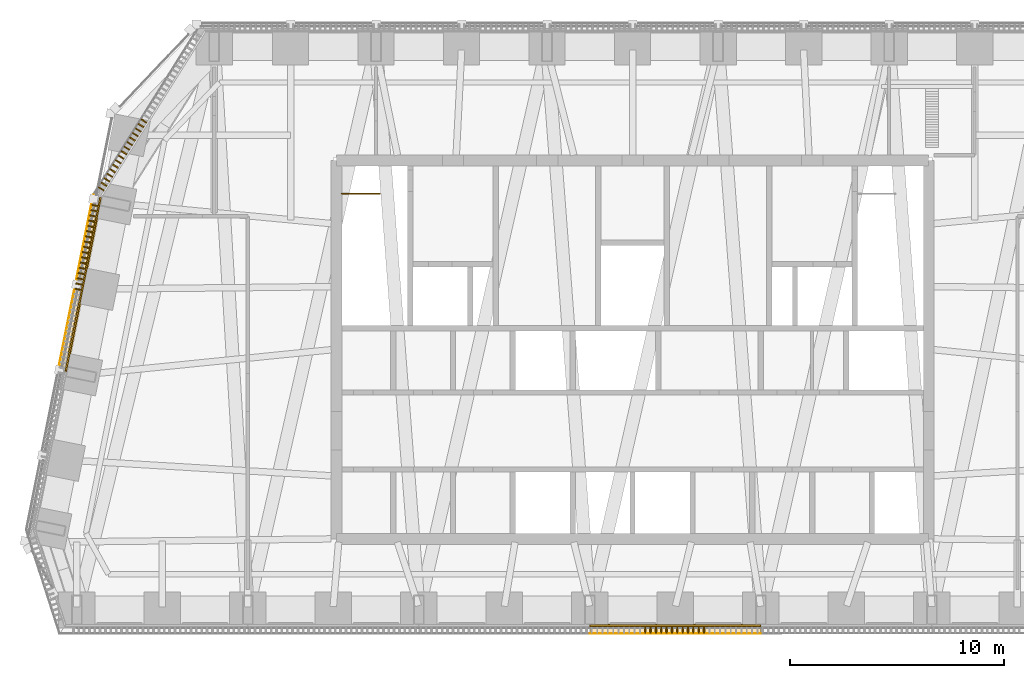
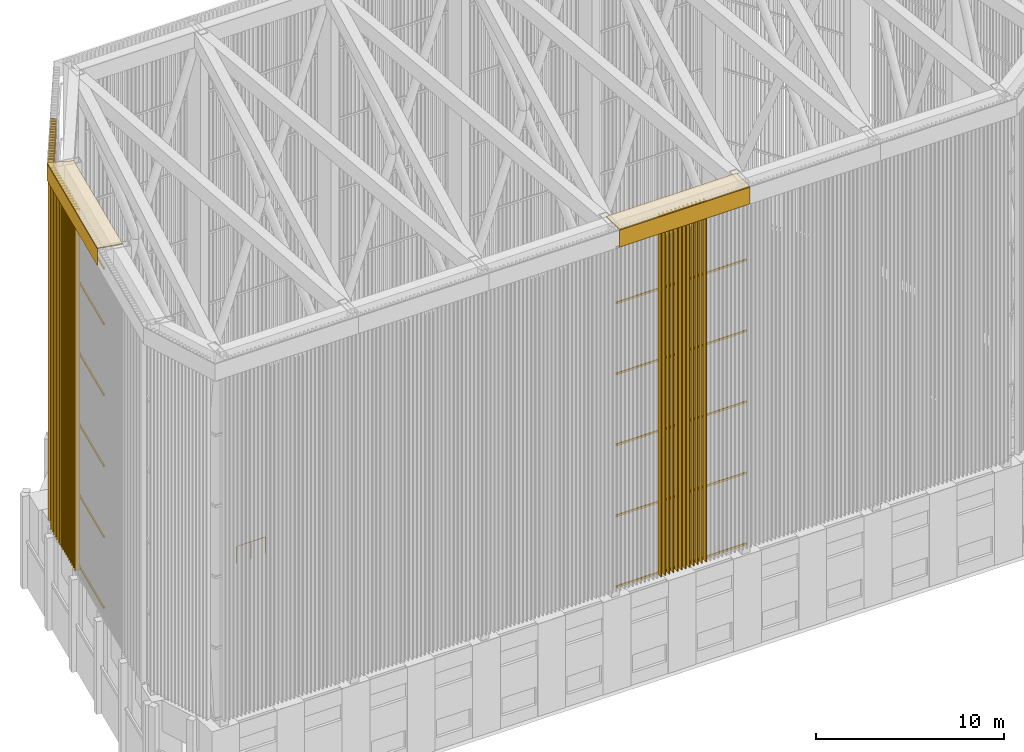
# One storey, part 11 of 15: 57 shading devices, 4 coverings, 1 railing.
"""IFC4 building model written with IfcOpenShell, lengths in metres."""

from ifc_helpers import new_model, si_unit, direction, frame, origin, origin_2d, place, context, subcontext, project, spatial, polyline, rectangle, circle, outline, extrude, material, layer, layer_set, material_profile, profile_set, type_object, element, save


model = new_model("IFC4")

# Units and contexts
model_context = context("Model", 3, precision=1e-05, world=origin(), true_north=direction((0.0, 1.0)))
body_context = subcontext(model_context, "Body", "Model", "MODEL_VIEW")
ifc_project = project(units=[si_unit("LENGTHUNIT", "METRE"), si_unit("AREAUNIT", "SQUARE_METRE"), si_unit("VOLUMEUNIT", "CUBIC_METRE"), si_unit("PLANEANGLEUNIT", "RADIAN"), si_unit("MASSUNIT", "GRAM", prefix="KILO")], contexts=[model_context])

# Site, building, storey
site_placement = place(None, origin())
site = spatial("IfcSite", under=ifc_project, at=site_placement, CompositionType="ELEMENT")
building_placement = place(site_placement, origin())
building = spatial("IfcBuilding", under=site, at=building_placement, Name="Isbrekke Arena Tower", CompositionType="ELEMENT")
storey_placement = place(building_placement, frame((0.0, 0.0, 324.0)))
storey = spatial("IfcBuildingStorey", under=building, at=storey_placement, Name="L76", CompositionType="ELEMENT", Elevation=324.0)

# Shading devices
ifc_material_1 = material(Name="Pre-patinated copper on aluminium core", Category="aluminium")
ifc_material_profile = material_profile(ifc_material_1, rectangle(XDim=0.06005859375, YDim=0.300048828125, at=origin_2d()), Name="FIN 60X300")
ifc_profile_set = profile_set([ifc_material_profile], Name="Pre-patinated copper on aluminium core")
shading_device_type_1 = type_object("IfcShadingDeviceType", Name="CR1 CROWN FIN 60 x 300", PredefinedType="USERDEFINED", material=ifc_profile_set)
for number, where, z_axis, x_axis, name in (
    (1, (0.593017578125, 1.89501953125, 6.60009765625), (0.0, 0.0, 1.0), (1.0, 0.0, 0.0), "CR1 crown fin A108"),
    (2, (0.843017578125, 1.89501953125, 6.60009765625), (0.0, 0.0, 1.0), (1.0, 0.0, 0.0), "CR1 crown fin A109"),
    (3, (1.093017578125, 1.89501953125, 6.60009765625), (0.0, 0.0, 1.0), (1.0, 0.0, 0.0), "CR1 crown fin A110"),
    (4, (1.343017578125, 1.89501953125, 6.60009765625), (0.0, 0.0, 1.0), (1.0, 0.0, 0.0), "CR1 crown fin A111"),
    (5, (1.593017578125, 1.89501953125, 6.60009765625), (0.0, 0.0, 1.0), (1.0, 0.0, 0.0), "CR1 crown fin A112"),
    (6, (1.843017578125, 1.89501953125, 6.60009765625), (0.0, 0.0, 1.0), (1.0, 0.0, 0.0), "CR1 crown fin A113"),
    (7, (2.093017578125, 1.89501953125, 6.60009765625), (0.0, 0.0, 1.0), (1.0, 0.0, 0.0), "CR1 crown fin A114"),
    (8, (2.343017578125, 1.89501953125, 6.60009765625), (0.0, 0.0, 1.0), (1.0, 0.0, 0.0), "CR1 crown fin A115"),
    (9, (2.593017578125, 1.89501953125, 6.60009765625), (0.0, 0.0, 1.0), (1.0, 0.0, 0.0), "CR1 crown fin A116"),
    (10, (2.843017578125, 1.89501953125, 6.60009765625), (0.0, 0.0, 1.0), (1.0, 0.0, 0.0), "CR1 crown fin A117"),
    (11, (3.093017578125, 1.89501953125, 6.60009765625), (0.0, 0.0, 1.0), (1.0, 0.0, 0.0), "CR1 crown fin A118"),
    (12, (3.343017578125, 1.89501953125, 6.60009765625), (0.0, 0.0, 1.0), (1.0, 0.0, 0.0), "CR1 crown fin A119"),
    (13, (-22.85986328125, 25.7001953125, 6.60009765625), (0.0, 0.0, 1.0), (-0.532528793806, -0.846411887775, 0.0), "CR1 crown fin F20"),
    (14, (-22.9931640625, 25.488525390625, 6.60009765625), (0.0, 0.0, 1.0), (-0.532528793806, -0.846411887775, 0.0), "CR1 crown fin F21"),
    (15, (-23.126220703125, 25.27685546875, 6.60009765625), (0.0, 0.0, 1.0), (-0.532528793806, -0.846411887775, 0.0), "CR1 crown fin F22"),
    (16, (-23.25927734375, 25.0654296875, 6.60009765625), (0.0, 0.0, 1.0), (-0.532528793806, -0.846411887775, 0.0), "CR1 crown fin F23"),
    (17, (-23.392578125, 24.853759765625, 6.60009765625), (0.0, 0.0, 1.0), (-0.532528793806, -0.846411887775, 0.0), "CR1 crown fin F24"),
    (18, (-23.525634765625, 24.64208984375, 6.60009765625), (0.0, 0.0, 1.0), (-0.532528793806, -0.846411887775, 0.0), "CR1 crown fin F25"),
    (19, (-23.65869140625, 24.4306640625, 6.60009765625), (0.0, 0.0, 1.0), (-0.532528793806, -0.846411887775, 0.0), "CR1 crown fin F26"),
    (20, (-23.7919921875, 24.218994140625, 6.60009765625), (0.0, 0.0, 1.0), (-0.532528793806, -0.846411887775, 0.0), "CR1 crown fin F27"),
    (21, (-23.925048828125, 24.00732421875, 6.60009765625), (0.0, 0.0, 1.0), (-0.532528793806, -0.846411887775, 0.0), "CR1 crown fin F28"),
    (22, (-24.05810546875, 23.795654296875, 6.60009765625), (0.0, 0.0, 1.0), (-0.532528793806, -0.846411887775, 0.0), "CR1 crown fin F29"),
    (23, (-24.19140625, 23.584228515625, 6.60009765625), (0.0, 0.0, 1.0), (-0.532528793806, -0.846411887775, 0.0), "CR1 crown fin F30"),
    (24, (-24.324462890625, 23.37255859375, 6.60009765625), (0.0, 0.0, 1.0), (-0.532528793806, -0.846411887775, 0.0), "CR1 crown fin F31"),
    (25, (-24.45751953125, 23.160888671875, 6.60009765625), (0.0, 0.0, 1.0), (-0.532528793806, -0.846411887775, 0.0), "CR1 crown fin F32"),
    (26, (-24.590576171875, 22.94921875, 6.60009765625), (0.0, 0.0, 1.0), (-0.532528793806, -0.846411887775, 0.0), "CR1 crown fin F33"),
    (27, (-24.723876953125, 22.73779296875, 6.60009765625), (0.0, 0.0, 1.0), (-0.532528793806, -0.846411887775, 0.0), "CR1 crown fin F34"),
    (28, (-24.85693359375, 22.526123046875, 6.60009765625), (0.0, 0.0, 1.0), (-0.532528793806, -0.846411887775, 0.0), "CR1 crown fin F35"),
    (29, (-25.156982421875, 21.75048828125, 6.60009765625), (0.0, 0.0, 1.0), (-0.196116127026, -0.980580677313, 0.0), "CR1 crown fin G1"),
    (30, (-25.2060546875, 21.50537109375, 6.60009765625), (0.0, 0.0, 1.0), (-0.196116127026, -0.980580677313, 0.0), "CR1 crown fin G2"),
    (31, (-25.255126953125, 21.26025390625, 6.60009765625), (0.0, 0.0, 1.0), (-0.196116127026, -0.980580677313, 0.0), "CR1 crown fin G3"),
    (32, (-25.303955078125, 21.01513671875, 6.60009765625), (0.0, 0.0, 1.0), (-0.196116127026, -0.980580677313, 0.0), "CR1 crown fin G4"),
    (33, (-25.35302734375, 20.769775390625, 6.60009765625), (0.0, 0.0, 1.0), (-0.196116127026, -0.980580677313, 0.0), "CR1 crown fin G5"),
    (34, (-25.402099609375, 20.524658203125, 6.60009765625), (0.0, 0.0, 1.0), (-0.196116127026, -0.980580677313, 0.0), "CR1 crown fin G6"),
    (35, (-25.451171875, 20.279541015625, 6.60009765625), (0.0, 0.0, 1.0), (-0.196116127026, -0.980580677313, 0.0), "CR1 crown fin G7"),
    (36, (-25.500244140625, 20.034423828125, 6.60009765625), (0.0, 0.0, 1.0), (-0.196116127026, -0.980580677313, 0.0), "CR1 crown fin G8"),
    (37, (-25.54931640625, 19.789306640625, 6.60009765625), (0.0, 0.0, 1.0), (-0.196116127026, -0.980580677313, 0.0), "CR1 crown fin G9"),
    (38, (-25.59814453125, 19.544189453125, 6.60009765625), (0.0, 0.0, 1.0), (-0.196116127026, -0.980580677313, 0.0), "CR1 crown fin G10"),
    (39, (-25.647216796875, 19.299072265625, 6.60009765625), (0.0, 0.0, 1.0), (-0.196116127026, -0.980580677313, 0.0), "CR1 crown fin G11"),
    (40, (-25.6962890625, 19.053955078125, 6.60009765625), (0.0, 0.0, 1.0), (-0.196116127026, -0.980580677313, 0.0), "CR1 crown fin G12"),
    (41, (-25.745361328125, 18.808837890625, 6.60009765625), (0.0, 0.0, 1.0), (-0.196116127026, -0.980580677313, 0.0), "CR1 crown fin G13"),
    (42, (-25.79443359375, 18.5634765625, 6.60009765625), (0.0, 0.0, 1.0), (-0.196116127026, -0.980580677313, 0.0), "CR1 crown fin G14"),
    (43, (-25.843505859375, 18.318359375, 6.60009765625), (0.0, 0.0, 1.0), (-0.196116127026, -0.980580677313, 0.0), "CR1 crown fin G15"),
    (44, (-25.892333984375, 18.0732421875, 6.60009765625), (0.0, 0.0, 1.0), (-0.196116127026, -0.980580677313, 0.0), "CR1 crown fin G16"),
    (45, (-25.94140625, 17.828125, 6.60009765625), (0.0, 0.0, 1.0), (-0.196116127026, -0.980580677313, 0.0), "CR1 crown fin G17"),
):
    element("IfcShadingDevice", number, at=place(storey_placement, frame(where, z_axis=z_axis, x_axis=x_axis)), inside=storey, type_object=shading_device_type_1, Name=name, ObjectType="CROWN FIN", PredefinedType="USERDEFINED", context=body_context, shape_type="SweptSolid", body=[
        extrude(rectangle(XDim=0.06005859375, YDim=0.300048828125, at=origin_2d()), origin(), (0.0, 0.0, 1.0), 23.39990234375),
    ])
ifc_material_2 = material(Name="Galvanised steel RHS 120 x 80 x 5", Category="steel")
shading_device_type_2 = type_object("IfcShadingDeviceType", Name="CR2 CROWN SCREEN RAIL RHS 120 x 80", PredefinedType="USERDEFINED", material=ifc_material_2)
shading_device_1_placement = place(storey_placement, frame((0.0, 0.0, 6.60009765625)))
element("IfcShadingDevice", 46, at=shading_device_1_placement, inside=storey, type_object=shading_device_type_2, Name="CR2 crown screen rail 1 bay A4", ObjectType="CROWN SCREEN RAIL", PredefinedType="USERDEFINED", context=body_context, shape_type="SweptSolid", body=[
    extrude(outline(polyline([(-2.0, 2.125), (6.0, 2.125), (6.0, 2.044921875), (-2.0, 2.044921875), (-2.0, 2.125)])), origin(), (0.0, 0.0, 1.0), 0.119873046875),
])
shading_device_2_placement = place(storey_placement, frame((0.0, 0.0, 11.199951171875)))
element("IfcShadingDevice", 47, at=shading_device_2_placement, inside=storey, type_object=shading_device_type_2, Name="CR2 crown screen rail 2 bay A4", ObjectType="CROWN SCREEN RAIL", PredefinedType="USERDEFINED", context=body_context, shape_type="SweptSolid", body=[
    extrude(outline(polyline([(-2.0, 2.125), (6.0, 2.125), (6.0, 2.044921875), (-2.0, 2.044921875), (-2.0, 2.125)])), origin(), (0.0, 0.0, 1.0), 0.1201171875),
])
shading_device_3_placement = place(storey_placement, frame((0.0, 0.0, 15.800048828125)))
element("IfcShadingDevice", 48, at=shading_device_3_placement, inside=storey, type_object=shading_device_type_2, Name="CR2 crown screen rail 3 bay A4", ObjectType="CROWN SCREEN RAIL", PredefinedType="USERDEFINED", context=body_context, shape_type="SweptSolid", body=[
    extrude(outline(polyline([(-2.0, 2.125), (6.0, 2.125), (6.0, 2.044921875), (-2.0, 2.044921875), (-2.0, 2.125)])), origin(), (0.0, 0.0, 1.0), 0.119873046875),
])
for number, where, name in (
    (49, (0.0, 0.0, 20.39990234375), "CR2 crown screen rail 4 bay A4"),
    (50, (0.0, 0.0, 25.0), "CR2 crown screen rail 5 bay A4"),
):
    element("IfcShadingDevice", number, at=place(storey_placement, frame(where)), inside=storey, type_object=shading_device_type_2, Name=name, ObjectType="CROWN SCREEN RAIL", PredefinedType="USERDEFINED", context=body_context, shape_type="SweptSolid", body=[
        extrude(outline(polyline([(-2.0, 2.125), (6.0, 2.125), (6.0, 2.044921875), (-2.0, 2.044921875), (-2.0, 2.125)])), origin(), (0.0, 0.0, 1.0), 0.1201171875),
    ])
shading_device_4_placement = place(storey_placement, frame((0.0, 0.0, 28.60009765625)))
element("IfcShadingDevice", 51, at=shading_device_4_placement, inside=storey, type_object=shading_device_type_2, Name="CR2 crown screen rail 6 bay A4", ObjectType="CROWN SCREEN RAIL", PredefinedType="USERDEFINED", context=body_context, shape_type="SweptSolid", body=[
    extrude(outline(polyline([(-2.0, 2.125), (6.0, 2.125), (6.0, 2.044921875), (-2.0, 2.044921875), (-2.0, 2.125)])), origin(), (0.0, 0.0, 1.0), 0.119873046875),
])
shading_device_5_placement = place(storey_placement, frame((0.0, 0.0, 6.60009765625)))
element("IfcShadingDevice", 52, at=shading_device_5_placement, inside=storey, type_object=shading_device_type_2, Name="CR2 crown screen rail 1 bay G1", ObjectType="CROWN SCREEN RAIL", PredefinedType="USERDEFINED", context=body_context, shape_type="SweptSolid", body=[
    extrude(outline(polyline([(-24.85205078125, 22.101806640625), (-26.4775390625, 13.9755859375), (-26.555908203125, 13.9912109375), (-24.927734375, 22.132080078125), (-24.85205078125, 22.101806640625)])), origin(), (0.0, 0.0, 1.0), 0.119873046875),
])
shading_device_6_placement = place(storey_placement, frame((0.0, 0.0, 11.199951171875)))
element("IfcShadingDevice", 53, at=shading_device_6_placement, inside=storey, type_object=shading_device_type_2, Name="CR2 crown screen rail 2 bay G1", ObjectType="CROWN SCREEN RAIL", PredefinedType="USERDEFINED", context=body_context, shape_type="SweptSolid", body=[
    extrude(outline(polyline([(-24.85205078125, 22.101806640625), (-26.4775390625, 13.9755859375), (-26.555908203125, 13.9912109375), (-24.927734375, 22.132080078125), (-24.85205078125, 22.101806640625)])), origin(), (0.0, 0.0, 1.0), 0.1201171875),
])
shading_device_7_placement = place(storey_placement, frame((0.0, 0.0, 15.800048828125)))
element("IfcShadingDevice", 54, at=shading_device_7_placement, inside=storey, type_object=shading_device_type_2, Name="CR2 crown screen rail 3 bay G1", ObjectType="CROWN SCREEN RAIL", PredefinedType="USERDEFINED", context=body_context, shape_type="SweptSolid", body=[
    extrude(outline(polyline([(-24.85205078125, 22.101806640625), (-26.4775390625, 13.9755859375), (-26.555908203125, 13.9912109375), (-24.927734375, 22.132080078125), (-24.85205078125, 22.101806640625)])), origin(), (0.0, 0.0, 1.0), 0.119873046875),
])
for number, where, name in (
    (55, (0.0, 0.0, 20.39990234375), "CR2 crown screen rail 4 bay G1"),
    (56, (0.0, 0.0, 25.0), "CR2 crown screen rail 5 bay G1"),
):
    element("IfcShadingDevice", number, at=place(storey_placement, frame(where)), inside=storey, type_object=shading_device_type_2, Name=name, ObjectType="CROWN SCREEN RAIL", PredefinedType="USERDEFINED", context=body_context, shape_type="SweptSolid", body=[
        extrude(outline(polyline([(-24.85205078125, 22.101806640625), (-26.4775390625, 13.9755859375), (-26.555908203125, 13.9912109375), (-24.927734375, 22.132080078125), (-24.85205078125, 22.101806640625)])), origin(), (0.0, 0.0, 1.0), 0.1201171875),
    ])
shading_device_8_placement = place(storey_placement, frame((0.0, 0.0, 28.60009765625)))
element("IfcShadingDevice", 57, at=shading_device_8_placement, inside=storey, type_object=shading_device_type_2, Name="CR2 crown screen rail 6 bay G1", ObjectType="CROWN SCREEN RAIL", PredefinedType="USERDEFINED", context=body_context, shape_type="SweptSolid", body=[
    extrude(outline(polyline([(-24.85205078125, 22.101806640625), (-26.4775390625, 13.9755859375), (-26.555908203125, 13.9912109375), (-24.927734375, 22.132080078125), (-24.85205078125, 22.101806640625)])), origin(), (0.0, 0.0, 1.0), 0.119873046875),
])

# Coverings
ifc_material_3 = material(Name="Pre-patinated copper sheet on plywood deck", Category="wood")
ifc_layer_1 = layer(ifc_material_3, 0.06005859375)
ifc_layer_set_1 = layer_set([ifc_layer_1], Name="CR3 CROWN CAP COPING")
covering_type_1 = type_object("IfcCoveringType", Name="CR3 CROWN CAP COPING", PredefinedType="CLADDING", material=ifc_layer_set_1)
covering_1_placement = place(storey_placement, frame((0.0, 0.0, 30.0)))
element("IfcCovering", 58, at=covering_1_placement, inside=storey, type_object=covering_type_1, Name="CR3 crown cap coping bay A4", PredefinedType="CLADDING", context=body_context, shape_type="SweptSolid", body=[
    extrude(outline(polyline([(-2.0, 3.125), (6.0, 3.125), (6.0, 1.715087890625), (-2.0, 1.715087890625), (-2.0, 3.125)])), origin(), (0.0, 0.0, 1.0), 0.06005859375),
])
covering_2_placement = place(storey_placement, frame((0.0, 0.0, 30.0)))
element("IfcCovering", 59, at=covering_2_placement, inside=storey, type_object=covering_type_1, Name="CR3 crown cap coping bay G1", PredefinedType="CLADDING", context=body_context, shape_type="SweptSolid", body=[
    extrude(outline(polyline([(-23.90771484375, 21.72509765625), (-25.496826171875, 13.779296875), (-26.87939453125, 14.055908203125), (-25.239501953125, 22.25634765625), (-23.90771484375, 21.72509765625)])), origin(), (0.0, 0.0, 1.0), 0.06005859375),
])
ifc_material_4 = material(Name="Pre-patinated copper sheet", Category="metal")
ifc_layer_2 = layer(ifc_material_4, 0.030029296875)
ifc_layer_set_2 = layer_set([ifc_layer_2], Name="CR4 CROWN CAP FASCIA")
covering_type_2 = type_object("IfcCoveringType", Name="CR4 CROWN CAP FASCIA", PredefinedType="CLADDING", material=ifc_layer_set_2)
covering_3_placement = place(storey_placement, frame((0.0, 0.0, 28.89990234375)))
element("IfcCovering", 60, at=covering_3_placement, inside=storey, type_object=covering_type_2, Name="CR4 crown cap fascia bay A4", PredefinedType="CLADDING", context=body_context, shape_type="SweptSolid", body=[
    extrude(outline(polyline([(-2.0, 1.7451171875), (6.0, 1.7451171875), (6.0, 1.715087890625), (-2.0, 1.715087890625), (-2.0, 1.7451171875)])), origin(), (0.0, 0.0, 1.0), 1.10009765625),
])
covering_4_placement = place(storey_placement, frame((0.0, 0.0, 28.89990234375)))
element("IfcCovering", 61, at=covering_4_placement, inside=storey, type_object=covering_type_2, Name="CR4 crown cap fascia bay G1", PredefinedType="CLADDING", context=body_context, shape_type="SweptSolid", body=[
    extrude(outline(polyline([(-25.2109375, 22.2451171875), (-26.85009765625, 14.050048828125), (-26.87939453125, 14.055908203125), (-25.239501953125, 22.25634765625), (-25.2109375, 22.2451171875)])), origin(), (0.0, 0.0, 1.0), 1.10009765625),
])

# Railing
ifc_material_5 = material(Name="Steel stair guard, vertical bars, steel handrail", Category="steel")
railing_type = type_object("IfcRailingType", Name="GR3 STAIR WELL GUARD 1100", PredefinedType="GUARDRAIL", material=ifc_material_5)
railing_placement = place(storey_placement, frame((-13.60009765625, 22.300048828125, 0.0)))
element("IfcRailing", 62, at=railing_placement, inside=storey, type_object=railing_type, Name="GR3 stair well guard ST1 L76", PredefinedType="GUARDRAIL", context=body_context, shape_type="SweptSolid", body=[
    extrude(circle(Radius=0.02392578125, at=origin_2d()), frame((0.0, 0.0, 1.076171875), z_axis=(1.0, 0.0, 0.0), x_axis=(0.0, 1.0, 0.0)), (0.0, 0.0, 1.0), 1.775146484375),
    extrude(circle(Radius=0.02099609375, at=origin_2d()), origin(), (0.0, 0.0, 1.0), 1.052001953125),
    extrude(circle(Radius=0.02099609375, at=origin_2d()), frame((0.8876953125, 0.0, 0.0)), (0.0, 0.0, 1.0), 1.052001953125),
    extrude(circle(Radius=0.02099609375, at=origin_2d()), frame((1.775146484375, 0.0, 0.0)), (0.0, 0.0, 1.0), 1.052001953125),
])

save(model, "model.ifc")
